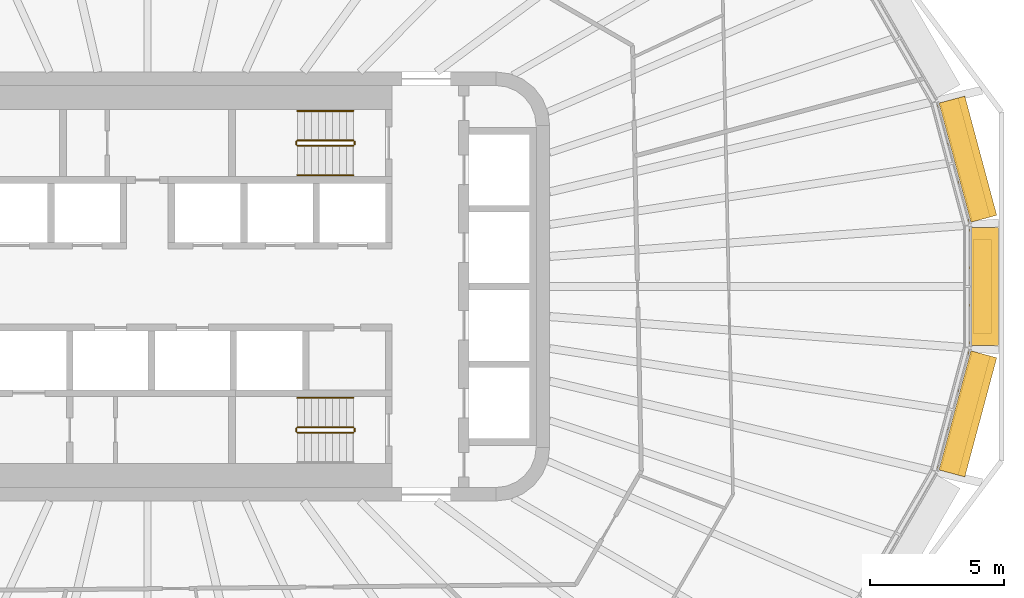
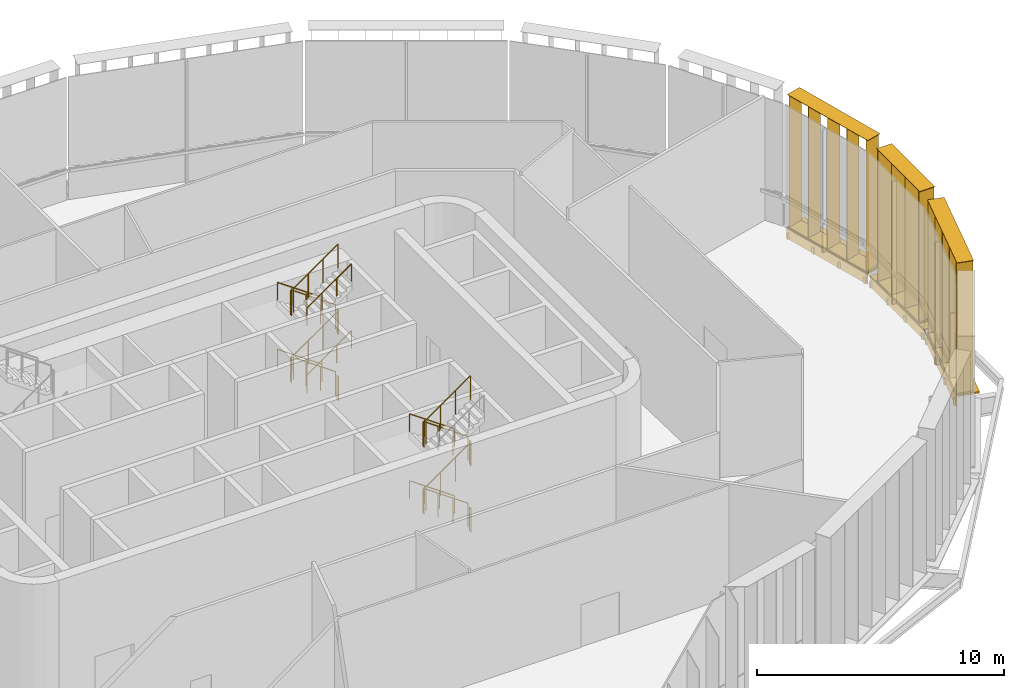
# One storey, part 17 of 18: 22 railings, 6 shading devices.
"""IFC4 building model written with IfcOpenShell, lengths in metres."""

from ifc_helpers import new_model, si_unit, direction, frame, origin, origin_2d, place, context, subcontext, project, spatial, rectangle, circle, extrude, material, type_object, element, save


model = new_model("IFC4")

# Units and contexts
model_context = context("Model", 3, precision=1e-05, world=origin(), true_north=direction((0.0, 1.0)))
body_context = subcontext(model_context, "Body", "Model", "MODEL_VIEW")
ifc_project = project(units=[si_unit("LENGTHUNIT", "METRE"), si_unit("AREAUNIT", "SQUARE_METRE"), si_unit("VOLUMEUNIT", "CUBIC_METRE"), si_unit("PLANEANGLEUNIT", "RADIAN"), si_unit("MASSUNIT", "GRAM", prefix="KILO")], contexts=[model_context])

# Site, building, storey
site_placement = place(None, origin())
site = spatial("IfcSite", under=ifc_project, at=site_placement, CompositionType="ELEMENT")
building_placement = place(site_placement, origin())
building = spatial("IfcBuilding", under=site, at=building_placement, Name="Sahrelin Media Tower", CompositionType="ELEMENT")
storey_placement = place(building_placement, frame((0.0, 0.0, 203.0)))
storey = spatial("IfcBuildingStorey", under=building, at=storey_placement, Name="L43", CompositionType="ELEMENT", Elevation=203.0)

# Shading devices
ifc_material_1 = material(Name="Champagne anodised aluminium 6063-T6", Category="aluminium")
shading_device_type_1 = type_object("IfcShadingDeviceType", Name="Fin cassette", PredefinedType="USERDEFINED", material=ifc_material_1)
placement_1 = place(storey_placement, frame((30.712890625, 0.0, 0.0), z_axis=(0.0, 0.0, 1.0), x_axis=(0.0, -1.0, 0.0)))
element("IfcShadingDevice", 1, at=placement_1, inside=storey, type_object=shading_device_type_1, Name="L43:FIN:L43-00", ObjectType="FIN", PredefinedType="USERDEFINED", context=body_context, shape_type="SweptSolid", body=[
    extrude(rectangle(XDim=3.5, YDim=0.699951171875, at=origin_2d()), frame((0.0, 0.419921875, 0.0)), (0.0, 0.0, 1.0), 0.02001953125),
    extrude(rectangle(XDim=3.5, YDim=0.699951171875, at=origin_2d()), frame((0.0, 0.419921875, 6.5)), (0.0, 0.0, 1.0), 0.02001953125),
    extrude(rectangle(XDim=0.02001953125, YDim=0.699951171875, at=origin_2d()), frame((-1.64990234375, 0.419921875, 0.010009765625), z_axis=(0.0, 0.0, 1.0), x_axis=(1.0, 0.0, 0.0)), (0.0, 0.0, 1.0), 6.5),
    extrude(rectangle(XDim=0.02001953125, YDim=0.699951171875, at=origin_2d()), frame((-0.550048828125, 0.419921875, 0.010009765625), z_axis=(0.0, 0.0, 1.0), x_axis=(1.0, 0.0, 0.0)), (0.0, 0.0, 1.0), 6.5),
    extrude(rectangle(XDim=0.02001953125, YDim=0.699951171875, at=origin_2d()), frame((0.550048828125, 0.419921875, 0.010009765625), z_axis=(0.0, 0.0, 1.0), x_axis=(1.0, 0.0, 0.0)), (0.0, 0.0, 1.0), 6.5),
    extrude(rectangle(XDim=0.02001953125, YDim=0.699951171875, at=origin_2d()), frame((1.64990234375, 0.419921875, 0.010009765625), z_axis=(0.0, 0.0, 1.0), x_axis=(1.0, 0.0, 0.0)), (0.0, 0.0, 1.0), 6.5),
])
placement_2 = place(storey_placement, frame((30.091796875, 4.613525390625, 0.0), z_axis=(0.0, 0.0, 1.0), x_axis=(0.258807731996, -0.965928857556, 0.0)))
element("IfcShadingDevice", 2, at=placement_2, inside=storey, type_object=shading_device_type_1, Name="L43:FIN:L43-01", ObjectType="FIN", PredefinedType="USERDEFINED", context=body_context, shape_type="SweptSolid", body=[
    extrude(rectangle(XDim=4.60009765625, YDim=0.699951171875, at=origin_2d()), frame((0.0, 0.419921875, 0.0)), (0.0, 0.0, 1.0), 0.02001953125),
    extrude(rectangle(XDim=4.60009765625, YDim=0.699951171875, at=origin_2d()), frame((0.0, 0.419921875, 6.5)), (0.0, 0.0, 1.0), 0.02001953125),
    extrude(rectangle(XDim=0.02001953125, YDim=0.699951171875, at=origin_2d()), frame((-2.199951171875, 0.419921875, 0.010009765625), z_axis=(0.0, 0.0, 1.0), x_axis=(1.0, 0.0, 0.0)), (0.0, 0.0, 1.0), 6.5),
    extrude(rectangle(XDim=0.02001953125, YDim=0.699951171875, at=origin_2d()), frame((-1.10009765625, 0.419921875, 0.010009765625), z_axis=(0.0, 0.0, 1.0), x_axis=(1.0, 0.0, 0.0)), (0.0, 0.0, 1.0), 6.5),
    extrude(rectangle(XDim=0.02001953125, YDim=0.699951171875, at=origin_2d()), frame((0.0, 0.419921875, 0.010009765625), z_axis=(0.0, 0.0, 1.0), x_axis=(1.0, 0.0, 0.0)), (0.0, 0.0, 1.0), 6.5),
    extrude(rectangle(XDim=0.02001953125, YDim=0.699951171875, at=origin_2d()), frame((1.10009765625, 0.419921875, 0.010009765625), z_axis=(0.0, 0.0, 1.0), x_axis=(1.0, 0.0, 0.0)), (0.0, 0.0, 1.0), 6.5),
    extrude(rectangle(XDim=0.02001953125, YDim=0.699951171875, at=origin_2d()), frame((2.199951171875, 0.419921875, 0.010009765625), z_axis=(0.0, 0.0, 1.0), x_axis=(1.0, 0.0, 0.0)), (0.0, 0.0, 1.0), 6.5),
])
placement_3 = place(storey_placement, frame((30.091796875, -4.613525390625, 0.0), z_axis=(0.0, 0.0, 1.0), x_axis=(-0.258807731996, -0.965928857556, 0.0)))
element("IfcShadingDevice", 3, at=placement_3, inside=storey, type_object=shading_device_type_1, Name="L43:FIN:L43-23", ObjectType="FIN", PredefinedType="USERDEFINED", context=body_context, shape_type="SweptSolid", body=[
    extrude(rectangle(XDim=4.60009765625, YDim=0.699951171875, at=origin_2d()), frame((0.0, 0.419921875, 0.0)), (0.0, 0.0, 1.0), 0.02001953125),
    extrude(rectangle(XDim=4.60009765625, YDim=0.699951171875, at=origin_2d()), frame((0.0, 0.419921875, 6.5)), (0.0, 0.0, 1.0), 0.02001953125),
    extrude(rectangle(XDim=0.02001953125, YDim=0.699951171875, at=origin_2d()), frame((-2.199951171875, 0.419921875, 0.010009765625), z_axis=(0.0, 0.0, 1.0), x_axis=(1.0, 0.0, 0.0)), (0.0, 0.0, 1.0), 6.5),
    extrude(rectangle(XDim=0.02001953125, YDim=0.699951171875, at=origin_2d()), frame((-1.10009765625, 0.419921875, 0.010009765625), z_axis=(0.0, 0.0, 1.0), x_axis=(1.0, 0.0, 0.0)), (0.0, 0.0, 1.0), 6.5),
    extrude(rectangle(XDim=0.02001953125, YDim=0.699951171875, at=origin_2d()), frame((0.0, 0.419921875, 0.010009765625), z_axis=(0.0, 0.0, 1.0), x_axis=(1.0, 0.0, 0.0)), (0.0, 0.0, 1.0), 6.5),
    extrude(rectangle(XDim=0.02001953125, YDim=0.699951171875, at=origin_2d()), frame((1.10009765625, 0.419921875, 0.010009765625), z_axis=(0.0, 0.0, 1.0), x_axis=(1.0, 0.0, 0.0)), (0.0, 0.0, 1.0), 6.5),
    extrude(rectangle(XDim=0.02001953125, YDim=0.699951171875, at=origin_2d()), frame((2.199951171875, 0.419921875, 0.010009765625), z_axis=(0.0, 0.0, 1.0), x_axis=(1.0, 0.0, 0.0)), (0.0, 0.0, 1.0), 6.5),
])

# Railings
ifc_material_2 = material(Name="Steel S355", Category="steel")
railing_type_1 = type_object("IfcRailingType", Name="Stair guard 1200", PredefinedType="GUARDRAIL", material=ifc_material_2)
railing_1_placement = place(storey_placement, frame((7.675048828125, 5.449951171875, 0.183349609375)))
element("IfcRailing", 4, at=railing_1_placement, inside=storey, type_object=railing_type_1, Name="L43 ST3 stair guard 1", PredefinedType="GUARDRAIL", context=body_context, shape_type="SweptSolid", body=[
    extrude(circle(Radius=0.02392578125, at=origin_2d()), frame((0.0, 0.0, 1.17578125), z_axis=(-0.817289409456, 0.0, 0.576227404061), x_axis=(0.0, -1.0, 0.0)), (0.0, 0.0, 1.0), 2.545166015625),
    extrude(circle(Radius=0.02099609375, at=origin_2d()), origin(), (0.0, 0.0, 1.0), 1.15185546875),
    extrude(circle(Radius=0.02099609375, at=origin_2d()), frame((-0.693359375, 0.0, 0.48876953125)), (0.0, 0.0, 1.0), 1.15185546875),
    extrude(circle(Radius=0.02099609375, at=origin_2d()), frame((-1.38671875, 0.0, 0.977783203125)), (0.0, 0.0, 1.0), 1.15185546875),
    extrude(circle(Radius=0.02099609375, at=origin_2d()), frame((-2.080078125, 0.0, 1.466552734375)), (0.0, 0.0, 1.0), 1.15185546875),
])
railing_2_placement = place(storey_placement, frame((5.544921875, 5.39990234375, 1.64990234375)))
element("IfcRailing", 5, at=railing_2_placement, inside=storey, type_object=railing_type_1, Name="L43 ST3 stair guard 2", PredefinedType="GUARDRAIL", context=body_context, shape_type="SweptSolid", body=[
    extrude(circle(Radius=0.02392578125, at=origin_2d()), frame((0.0, 0.0, 1.17578125), z_axis=(0.0, -1.0, 0.0), x_axis=(1.0, 0.0, 0.0)), (0.0, 0.0, 1.0), 0.099853515625),
    extrude(circle(Radius=0.02099609375, at=origin_2d()), origin(), (0.0, 0.0, 1.0), 1.15185546875),
    extrude(circle(Radius=0.02099609375, at=origin_2d()), frame((0.0, -0.099853515625, 0.0)), (0.0, 0.0, 1.0), 1.15185546875),
])
railing_3_placement = place(storey_placement, frame((5.594970703125, 5.25, 1.833251953125)))
element("IfcRailing", 6, at=railing_3_placement, inside=storey, type_object=railing_type_1, Name="L43 ST3 stair guard 3", PredefinedType="GUARDRAIL", context=body_context, shape_type="SweptSolid", body=[
    extrude(circle(Radius=0.02392578125, at=origin_2d()), frame((0.0, 0.0, 1.17578125), z_axis=(0.81724423362, 0.0, 0.576291473661), x_axis=(0.0, 1.0, 0.0)), (0.0, 0.0, 1.0), 2.545166015625),
    extrude(circle(Radius=0.02099609375, at=origin_2d()), origin(), (0.0, 0.0, 1.0), 1.15185546875),
    extrude(circle(Radius=0.02099609375, at=origin_2d()), frame((0.693359375, 0.0, 0.489013671875)), (0.0, 0.0, 1.0), 1.15185546875),
    extrude(circle(Radius=0.02099609375, at=origin_2d()), frame((1.38671875, 0.0, 0.977783203125)), (0.0, 0.0, 1.0), 1.15185546875),
    extrude(circle(Radius=0.02099609375, at=origin_2d()), frame((2.080078125, 0.0, 1.466796875)), (0.0, 0.0, 1.0), 1.15185546875),
])
railing_4_placement = place(storey_placement, frame((7.72509765625, 5.39990234375, 3.300048828125)))
element("IfcRailing", 7, at=railing_4_placement, inside=storey, type_object=railing_type_1, Name="L43 ST3 stair guard 4", PredefinedType="GUARDRAIL", context=body_context, shape_type="SweptSolid", body=[
    extrude(circle(Radius=0.02392578125, at=origin_2d()), frame((0.0, 0.0, 1.17578125), z_axis=(0.0, -1.0, 0.0), x_axis=(1.0, 0.0, 0.0)), (0.0, 0.0, 1.0), 0.099853515625),
    extrude(circle(Radius=0.02099609375, at=origin_2d()), origin(), (0.0, 0.0, 1.0), 1.15185546875),
    extrude(circle(Radius=0.02099609375, at=origin_2d()), frame((0.0, -0.099853515625, 0.0)), (0.0, 0.0, 1.0), 1.15185546875),
])
railing_5_placement = place(storey_placement, frame((7.675048828125, 5.449951171875, 3.4833984375)))
element("IfcRailing", 8, at=railing_5_placement, inside=storey, type_object=railing_type_1, Name="L43 ST3 stair guard 5", PredefinedType="GUARDRAIL", context=body_context, shape_type="SweptSolid", body=[
    extrude(circle(Radius=0.02392578125, at=origin_2d()), frame((0.0, 0.0, 1.17578125), z_axis=(-0.817289409456, 0.0, 0.576227404061), x_axis=(0.0, -1.0, 0.0)), (0.0, 0.0, 1.0), 2.545166015625),
    extrude(circle(Radius=0.02099609375, at=origin_2d()), origin(), (0.0, 0.0, 1.0), 1.15185546875),
    extrude(circle(Radius=0.02099609375, at=origin_2d()), frame((-0.693359375, 0.0, 0.48876953125)), (0.0, 0.0, 1.0), 1.15185546875),
    extrude(circle(Radius=0.02099609375, at=origin_2d()), frame((-1.38671875, 0.0, 0.977783203125)), (0.0, 0.0, 1.0), 1.15185546875),
    extrude(circle(Radius=0.02099609375, at=origin_2d()), frame((-2.080078125, 0.0, 1.466552734375)), (0.0, 0.0, 1.0), 1.15185546875),
])
railing_6_placement = place(storey_placement, frame((5.544921875, 5.39990234375, 4.949951171875)))
element("IfcRailing", 9, at=railing_6_placement, inside=storey, type_object=railing_type_1, Name="L43 ST3 stair guard 6", PredefinedType="GUARDRAIL", context=body_context, shape_type="SweptSolid", body=[
    extrude(circle(Radius=0.02392578125, at=origin_2d()), frame((0.0, 0.0, 1.17578125), z_axis=(0.0, -1.0, 0.0), x_axis=(1.0, 0.0, 0.0)), (0.0, 0.0, 1.0), 0.099853515625),
    extrude(circle(Radius=0.02099609375, at=origin_2d()), origin(), (0.0, 0.0, 1.0), 1.15185546875),
    extrude(circle(Radius=0.02099609375, at=origin_2d()), frame((0.0, -0.099853515625, 0.0)), (0.0, 0.0, 1.0), 1.15185546875),
])
railing_7_placement = place(storey_placement, frame((5.594970703125, 5.25, 5.13330078125)))
element("IfcRailing", 10, at=railing_7_placement, inside=storey, type_object=railing_type_1, Name="L43 ST3 stair guard 7", PredefinedType="GUARDRAIL", context=body_context, shape_type="SweptSolid", body=[
    extrude(circle(Radius=0.02392578125, at=origin_2d()), frame((0.0, 0.0, 1.17578125), z_axis=(0.81724423362, 0.0, 0.576291473661), x_axis=(0.0, 1.0, 0.0)), (0.0, 0.0, 1.0), 2.545166015625),
    extrude(circle(Radius=0.02099609375, at=origin_2d()), origin(), (0.0, 0.0, 1.0), 1.15185546875),
    extrude(circle(Radius=0.02099609375, at=origin_2d()), frame((0.693359375, 0.0, 0.489013671875)), (0.0, 0.0, 1.0), 1.15185546875),
    extrude(circle(Radius=0.02099609375, at=origin_2d()), frame((1.38671875, 0.0, 0.977783203125)), (0.0, 0.0, 1.0), 1.15185546875),
    extrude(circle(Radius=0.02099609375, at=origin_2d()), frame((2.080078125, 0.0, 1.466796875)), (0.0, 0.0, 1.0), 1.15185546875),
])
railing_8_placement = place(storey_placement, frame((7.72509765625, 5.39990234375, 0.0)))
element("IfcRailing", 11, at=railing_8_placement, inside=storey, type_object=railing_type_1, Name="L43 ST3 stair guard 8", PredefinedType="GUARDRAIL", context=body_context, shape_type="SweptSolid", body=[
    extrude(circle(Radius=0.02392578125, at=origin_2d()), frame((0.0, 0.0, 1.17578125), z_axis=(0.0, -1.0, 0.0), x_axis=(1.0, 0.0, 0.0)), (0.0, 0.0, 1.0), 0.099853515625),
    extrude(circle(Radius=0.02099609375, at=origin_2d()), origin(), (0.0, 0.0, 1.0), 1.15185546875),
    extrude(circle(Radius=0.02099609375, at=origin_2d()), frame((0.0, -0.099853515625, 0.0)), (0.0, 0.0, 1.0), 1.15185546875),
])
railing_9_placement = place(storey_placement, frame((7.675048828125, -5.25, 0.183349609375)))
element("IfcRailing", 12, at=railing_9_placement, inside=storey, type_object=railing_type_1, Name="L43 ST2 stair guard 1", PredefinedType="GUARDRAIL", context=body_context, shape_type="SweptSolid", body=[
    extrude(circle(Radius=0.02392578125, at=origin_2d()), frame((0.0, 0.0, 1.17578125), z_axis=(-0.817289409456, 0.0, 0.576227404061), x_axis=(0.0, -1.0, 0.0)), (0.0, 0.0, 1.0), 2.545166015625),
    extrude(circle(Radius=0.02099609375, at=origin_2d()), origin(), (0.0, 0.0, 1.0), 1.15185546875),
    extrude(circle(Radius=0.02099609375, at=origin_2d()), frame((-0.693359375, 0.0, 0.48876953125)), (0.0, 0.0, 1.0), 1.15185546875),
    extrude(circle(Radius=0.02099609375, at=origin_2d()), frame((-1.38671875, 0.0, 0.977783203125)), (0.0, 0.0, 1.0), 1.15185546875),
    extrude(circle(Radius=0.02099609375, at=origin_2d()), frame((-2.080078125, 0.0, 1.466552734375)), (0.0, 0.0, 1.0), 1.15185546875),
])
railing_10_placement = place(storey_placement, frame((5.544921875, -5.300048828125, 1.64990234375)))
element("IfcRailing", 13, at=railing_10_placement, inside=storey, type_object=railing_type_1, Name="L43 ST2 stair guard 2", PredefinedType="GUARDRAIL", context=body_context, shape_type="SweptSolid", body=[
    extrude(circle(Radius=0.02392578125, at=origin_2d()), frame((0.0, 0.0, 1.17578125), z_axis=(0.0, -1.0, 0.0), x_axis=(1.0, 0.0, 0.0)), (0.0, 0.0, 1.0), 0.099853515625),
    extrude(circle(Radius=0.02099609375, at=origin_2d()), origin(), (0.0, 0.0, 1.0), 1.15185546875),
    extrude(circle(Radius=0.02099609375, at=origin_2d()), frame((0.0, -0.099853515625, 0.0)), (0.0, 0.0, 1.0), 1.15185546875),
])
railing_11_placement = place(storey_placement, frame((5.594970703125, -5.449951171875, 1.833251953125)))
element("IfcRailing", 14, at=railing_11_placement, inside=storey, type_object=railing_type_1, Name="L43 ST2 stair guard 3", PredefinedType="GUARDRAIL", context=body_context, shape_type="SweptSolid", body=[
    extrude(circle(Radius=0.02392578125, at=origin_2d()), frame((0.0, 0.0, 1.17578125), z_axis=(0.81724423362, 0.0, 0.576291473661), x_axis=(0.0, 1.0, 0.0)), (0.0, 0.0, 1.0), 2.545166015625),
    extrude(circle(Radius=0.02099609375, at=origin_2d()), origin(), (0.0, 0.0, 1.0), 1.15185546875),
    extrude(circle(Radius=0.02099609375, at=origin_2d()), frame((0.693359375, 0.0, 0.489013671875)), (0.0, 0.0, 1.0), 1.15185546875),
    extrude(circle(Radius=0.02099609375, at=origin_2d()), frame((1.38671875, 0.0, 0.977783203125)), (0.0, 0.0, 1.0), 1.15185546875),
    extrude(circle(Radius=0.02099609375, at=origin_2d()), frame((2.080078125, 0.0, 1.466796875)), (0.0, 0.0, 1.0), 1.15185546875),
])
railing_12_placement = place(storey_placement, frame((7.72509765625, -5.300048828125, 3.300048828125)))
element("IfcRailing", 15, at=railing_12_placement, inside=storey, type_object=railing_type_1, Name="L43 ST2 stair guard 4", PredefinedType="GUARDRAIL", context=body_context, shape_type="SweptSolid", body=[
    extrude(circle(Radius=0.02392578125, at=origin_2d()), frame((0.0, 0.0, 1.17578125), z_axis=(0.0, -1.0, 0.0), x_axis=(1.0, 0.0, 0.0)), (0.0, 0.0, 1.0), 0.099853515625),
    extrude(circle(Radius=0.02099609375, at=origin_2d()), origin(), (0.0, 0.0, 1.0), 1.15185546875),
    extrude(circle(Radius=0.02099609375, at=origin_2d()), frame((0.0, -0.099853515625, 0.0)), (0.0, 0.0, 1.0), 1.15185546875),
])
railing_13_placement = place(storey_placement, frame((7.675048828125, -5.25, 3.4833984375)))
element("IfcRailing", 16, at=railing_13_placement, inside=storey, type_object=railing_type_1, Name="L43 ST2 stair guard 5", PredefinedType="GUARDRAIL", context=body_context, shape_type="SweptSolid", body=[
    extrude(circle(Radius=0.02392578125, at=origin_2d()), frame((0.0, 0.0, 1.17578125), z_axis=(-0.817289409456, 0.0, 0.576227404061), x_axis=(0.0, -1.0, 0.0)), (0.0, 0.0, 1.0), 2.545166015625),
    extrude(circle(Radius=0.02099609375, at=origin_2d()), origin(), (0.0, 0.0, 1.0), 1.15185546875),
    extrude(circle(Radius=0.02099609375, at=origin_2d()), frame((-0.693359375, 0.0, 0.48876953125)), (0.0, 0.0, 1.0), 1.15185546875),
    extrude(circle(Radius=0.02099609375, at=origin_2d()), frame((-1.38671875, 0.0, 0.977783203125)), (0.0, 0.0, 1.0), 1.15185546875),
    extrude(circle(Radius=0.02099609375, at=origin_2d()), frame((-2.080078125, 0.0, 1.466552734375)), (0.0, 0.0, 1.0), 1.15185546875),
])
railing_14_placement = place(storey_placement, frame((5.544921875, -5.300048828125, 4.949951171875)))
element("IfcRailing", 17, at=railing_14_placement, inside=storey, type_object=railing_type_1, Name="L43 ST2 stair guard 6", PredefinedType="GUARDRAIL", context=body_context, shape_type="SweptSolid", body=[
    extrude(circle(Radius=0.02392578125, at=origin_2d()), frame((0.0, 0.0, 1.17578125), z_axis=(0.0, -1.0, 0.0), x_axis=(1.0, 0.0, 0.0)), (0.0, 0.0, 1.0), 0.099853515625),
    extrude(circle(Radius=0.02099609375, at=origin_2d()), origin(), (0.0, 0.0, 1.0), 1.15185546875),
    extrude(circle(Radius=0.02099609375, at=origin_2d()), frame((0.0, -0.099853515625, 0.0)), (0.0, 0.0, 1.0), 1.15185546875),
])
railing_15_placement = place(storey_placement, frame((5.594970703125, -5.449951171875, 5.13330078125)))
element("IfcRailing", 18, at=railing_15_placement, inside=storey, type_object=railing_type_1, Name="L43 ST2 stair guard 7", PredefinedType="GUARDRAIL", context=body_context, shape_type="SweptSolid", body=[
    extrude(circle(Radius=0.02392578125, at=origin_2d()), frame((0.0, 0.0, 1.17578125), z_axis=(0.81724423362, 0.0, 0.576291473661), x_axis=(0.0, 1.0, 0.0)), (0.0, 0.0, 1.0), 2.545166015625),
    extrude(circle(Radius=0.02099609375, at=origin_2d()), origin(), (0.0, 0.0, 1.0), 1.15185546875),
    extrude(circle(Radius=0.02099609375, at=origin_2d()), frame((0.693359375, 0.0, 0.489013671875)), (0.0, 0.0, 1.0), 1.15185546875),
    extrude(circle(Radius=0.02099609375, at=origin_2d()), frame((1.38671875, 0.0, 0.977783203125)), (0.0, 0.0, 1.0), 1.15185546875),
    extrude(circle(Radius=0.02099609375, at=origin_2d()), frame((2.080078125, 0.0, 1.466796875)), (0.0, 0.0, 1.0), 1.15185546875),
])
railing_16_placement = place(storey_placement, frame((7.72509765625, -5.300048828125, 0.0)))
element("IfcRailing", 19, at=railing_16_placement, inside=storey, type_object=railing_type_1, Name="L43 ST2 stair guard 8", PredefinedType="GUARDRAIL", context=body_context, shape_type="SweptSolid", body=[
    extrude(circle(Radius=0.02392578125, at=origin_2d()), frame((0.0, 0.0, 1.17578125), z_axis=(0.0, -1.0, 0.0), x_axis=(1.0, 0.0, 0.0)), (0.0, 0.0, 1.0), 0.099853515625),
    extrude(circle(Radius=0.02099609375, at=origin_2d()), origin(), (0.0, 0.0, 1.0), 1.15185546875),
    extrude(circle(Radius=0.02099609375, at=origin_2d()), frame((0.0, -0.099853515625, 0.0)), (0.0, 0.0, 1.0), 1.15185546875),
])
railing_type_2 = type_object("IfcRailingType", Name="Stair handrail 900", PredefinedType="HANDRAIL", material=ifc_material_2)
railing_17_placement = place(storey_placement, frame((7.675048828125, 6.550048828125, 0.183349609375)))
element("IfcRailing", 20, at=railing_17_placement, inside=storey, type_object=railing_type_2, Name="L43 ST3 stair handrail 1", PredefinedType="HANDRAIL", context=body_context, shape_type="SweptSolid", body=[
    extrude(circle(Radius=0.02392578125, at=origin_2d()), frame((0.0, 0.0, 0.8759765625), z_axis=(-0.817289409456, 0.0, 0.576227404061), x_axis=(0.0, -1.0, 0.0)), (0.0, 0.0, 1.0), 2.545166015625),
    extrude(circle(Radius=0.02099609375, at=origin_2d()), origin(), (0.0, 0.0, 1.0), 0.851806640625),
    extrude(circle(Radius=0.02099609375, at=origin_2d()), frame((-0.693359375, 0.0, 0.48876953125)), (0.0, 0.0, 1.0), 0.851806640625),
    extrude(circle(Radius=0.02099609375, at=origin_2d()), frame((-1.38671875, 0.0, 0.977783203125)), (0.0, 0.0, 1.0), 0.851806640625),
    extrude(circle(Radius=0.02099609375, at=origin_2d()), frame((-2.080078125, 0.0, 1.466552734375)), (0.0, 0.0, 1.0), 0.851806640625),
])
railing_18_placement = place(storey_placement, frame((5.594970703125, 4.14990234375, 1.833251953125)))
element("IfcRailing", 21, at=railing_18_placement, inside=storey, type_object=railing_type_2, Name="L43 ST3 stair handrail 2", PredefinedType="HANDRAIL", context=body_context, shape_type="SweptSolid", body=[
    extrude(circle(Radius=0.02392578125, at=origin_2d()), frame((0.0, 0.0, 0.8759765625), z_axis=(0.81724423362, 0.0, 0.576291473661), x_axis=(0.0, 1.0, 0.0)), (0.0, 0.0, 1.0), 2.545166015625),
    extrude(circle(Radius=0.02099609375, at=origin_2d()), origin(), (0.0, 0.0, 1.0), 0.851806640625),
    extrude(circle(Radius=0.02099609375, at=origin_2d()), frame((0.693359375, 0.0, 0.489013671875)), (0.0, 0.0, 1.0), 0.851806640625),
    extrude(circle(Radius=0.02099609375, at=origin_2d()), frame((1.38671875, 0.0, 0.977783203125)), (0.0, 0.0, 1.0), 0.851806640625),
    extrude(circle(Radius=0.02099609375, at=origin_2d()), frame((2.080078125, 0.0, 1.466796875)), (0.0, 0.0, 1.0), 0.851806640625),
])
railing_19_placement = place(storey_placement, frame((7.675048828125, 6.550048828125, 3.4833984375)))
element("IfcRailing", 22, at=railing_19_placement, inside=storey, type_object=railing_type_2, Name="L43 ST3 stair handrail 3", PredefinedType="HANDRAIL", context=body_context, shape_type="SweptSolid", body=[
    extrude(circle(Radius=0.02392578125, at=origin_2d()), frame((0.0, 0.0, 0.8759765625), z_axis=(-0.817289409456, 0.0, 0.576227404061), x_axis=(0.0, -1.0, 0.0)), (0.0, 0.0, 1.0), 2.545166015625),
    extrude(circle(Radius=0.02099609375, at=origin_2d()), origin(), (0.0, 0.0, 1.0), 0.851806640625),
    extrude(circle(Radius=0.02099609375, at=origin_2d()), frame((-0.693359375, 0.0, 0.48876953125)), (0.0, 0.0, 1.0), 0.851806640625),
    extrude(circle(Radius=0.02099609375, at=origin_2d()), frame((-1.38671875, 0.0, 0.977783203125)), (0.0, 0.0, 1.0), 0.851806640625),
    extrude(circle(Radius=0.02099609375, at=origin_2d()), frame((-2.080078125, 0.0, 1.466552734375)), (0.0, 0.0, 1.0), 0.851806640625),
])
railing_20_placement = place(storey_placement, frame((5.594970703125, 4.14990234375, 5.13330078125)))
element("IfcRailing", 23, at=railing_20_placement, inside=storey, type_object=railing_type_2, Name="L43 ST3 stair handrail 4", PredefinedType="HANDRAIL", context=body_context, shape_type="SweptSolid", body=[
    extrude(circle(Radius=0.02392578125, at=origin_2d()), frame((0.0, 0.0, 0.8759765625), z_axis=(0.81724423362, 0.0, 0.576291473661), x_axis=(0.0, 1.0, 0.0)), (0.0, 0.0, 1.0), 2.545166015625),
    extrude(circle(Radius=0.02099609375, at=origin_2d()), origin(), (0.0, 0.0, 1.0), 0.851806640625),
    extrude(circle(Radius=0.02099609375, at=origin_2d()), frame((0.693359375, 0.0, 0.489013671875)), (0.0, 0.0, 1.0), 0.851806640625),
    extrude(circle(Radius=0.02099609375, at=origin_2d()), frame((1.38671875, 0.0, 0.977783203125)), (0.0, 0.0, 1.0), 0.851806640625),
    extrude(circle(Radius=0.02099609375, at=origin_2d()), frame((2.080078125, 0.0, 1.466796875)), (0.0, 0.0, 1.0), 0.851806640625),
])
for number, where, name in (
    (24, (7.675048828125, -4.14990234375, 0.183349609375), "L43 ST2 stair handrail 1"),
    (25, (7.675048828125, -4.14990234375, 3.4833984375), "L43 ST2 stair handrail 3"),
):
    element("IfcRailing", number, at=place(storey_placement, frame(where)), inside=storey, type_object=railing_type_2, Name=name, PredefinedType="HANDRAIL", context=body_context, shape_type="SweptSolid", body=[
        extrude(circle(Radius=0.02392578125, at=origin_2d()), frame((0.0, 0.0, 0.8759765625), z_axis=(-0.817289409456, 0.0, 0.576227404061), x_axis=(0.0, -1.0, 0.0)), (0.0, 0.0, 1.0), 2.545166015625),
        extrude(circle(Radius=0.02099609375, at=origin_2d()), origin(), (0.0, 0.0, 1.0), 0.851806640625),
        extrude(circle(Radius=0.02099609375, at=origin_2d()), frame((-0.693359375, 0.0, 0.48876953125)), (0.0, 0.0, 1.0), 0.851806640625),
        extrude(circle(Radius=0.02099609375, at=origin_2d()), frame((-1.38671875, 0.0, 0.977783203125)), (0.0, 0.0, 1.0), 0.851806640625),
        extrude(circle(Radius=0.02099609375, at=origin_2d()), frame((-2.080078125, 0.0, 1.466552734375)), (0.0, 0.0, 1.0), 0.851806640625),
    ])

# Shading devices
shading_device_type_2 = type_object("IfcShadingDeviceType", Name="Sunshade band", PredefinedType="USERDEFINED", material=ifc_material_1)
element("IfcShadingDevice", 26, at=placement_1, inside=storey, type_object=shading_device_type_2, Name="L43:SUN:L43-00", ObjectType="SUNSHADE", PredefinedType="USERDEFINED", context=body_context, shape_type="SweptSolid", body=[
    extrude(rectangle(XDim=4.39013671875, YDim=0.050048828125, at=origin_2d()), frame((0.0, 0.044921875, -0.55126953125)), (0.0, 0.0, 1.0), 0.471435546875),
    extrude(rectangle(XDim=4.39013671875, YDim=1.0, at=origin_2d()), frame((0.0, 0.52001953125, -0.080078125)), (0.0, 0.0, 1.0), 0.080078125),
    extrude(rectangle(XDim=0.10009765625, YDim=0.074951171875, at=origin_2d()), frame((-2.09521484375, -0.017578125, -0.52001953125)), (0.0, 0.0, 1.0), 0.300048828125),
    extrude(rectangle(XDim=0.10009765625, YDim=0.074951171875, at=origin_2d()), frame((-0.698486328125, -0.017578125, -0.52001953125)), (0.0, 0.0, 1.0), 0.300048828125),
    extrude(rectangle(XDim=0.10009765625, YDim=0.074951171875, at=origin_2d()), frame((0.698486328125, -0.017578125, -0.52001953125)), (0.0, 0.0, 1.0), 0.300048828125),
    extrude(rectangle(XDim=0.10009765625, YDim=0.074951171875, at=origin_2d()), frame((2.09521484375, -0.017578125, -0.52001953125)), (0.0, 0.0, 1.0), 0.300048828125),
])
element("IfcShadingDevice", 27, at=placement_2, inside=storey, type_object=shading_device_type_2, Name="L43:SUN:L43-01", ObjectType="SUNSHADE", PredefinedType="USERDEFINED", context=body_context, shape_type="SweptSolid", body=[
    extrude(rectangle(XDim=4.6005859375, YDim=0.050048828125, at=origin_2d()), frame((0.0, 0.044921875, -0.55126953125)), (0.0, 0.0, 1.0), 0.471435546875),
    extrude(rectangle(XDim=4.6005859375, YDim=1.0, at=origin_2d()), frame((0.0, 0.52001953125, -0.080078125)), (0.0, 0.0, 1.0), 0.080078125),
    extrude(rectangle(XDim=0.10009765625, YDim=0.074951171875, at=origin_2d()), frame((-2.2001953125, -0.017578125, -0.52001953125)), (0.0, 0.0, 1.0), 0.300048828125),
    extrude(rectangle(XDim=0.10009765625, YDim=0.074951171875, at=origin_2d()), frame((-0.7333984375, -0.017578125, -0.52001953125)), (0.0, 0.0, 1.0), 0.300048828125),
    extrude(rectangle(XDim=0.10009765625, YDim=0.074951171875, at=origin_2d()), frame((0.7333984375, -0.017578125, -0.52001953125)), (0.0, 0.0, 1.0), 0.300048828125),
    extrude(rectangle(XDim=0.10009765625, YDim=0.074951171875, at=origin_2d()), frame((2.2001953125, -0.017578125, -0.52001953125)), (0.0, 0.0, 1.0), 0.300048828125),
])
element("IfcShadingDevice", 28, at=placement_3, inside=storey, type_object=shading_device_type_2, Name="L43:SUN:L43-23", ObjectType="SUNSHADE", PredefinedType="USERDEFINED", context=body_context, shape_type="SweptSolid", body=[
    extrude(rectangle(XDim=4.6005859375, YDim=0.050048828125, at=origin_2d()), frame((0.0, 0.044921875, -0.55126953125)), (0.0, 0.0, 1.0), 0.471435546875),
    extrude(rectangle(XDim=4.6005859375, YDim=1.0, at=origin_2d()), frame((0.0, 0.52001953125, -0.080078125)), (0.0, 0.0, 1.0), 0.080078125),
    extrude(rectangle(XDim=0.10009765625, YDim=0.074951171875, at=origin_2d()), frame((-2.2001953125, -0.017578125, -0.52001953125)), (0.0, 0.0, 1.0), 0.300048828125),
    extrude(rectangle(XDim=0.10009765625, YDim=0.074951171875, at=origin_2d()), frame((-0.7333984375, -0.017578125, -0.52001953125)), (0.0, 0.0, 1.0), 0.300048828125),
    extrude(rectangle(XDim=0.10009765625, YDim=0.074951171875, at=origin_2d()), frame((0.7333984375, -0.017578125, -0.52001953125)), (0.0, 0.0, 1.0), 0.300048828125),
    extrude(rectangle(XDim=0.10009765625, YDim=0.074951171875, at=origin_2d()), frame((2.2001953125, -0.017578125, -0.52001953125)), (0.0, 0.0, 1.0), 0.300048828125),
])

save(model, "model.ifc")
